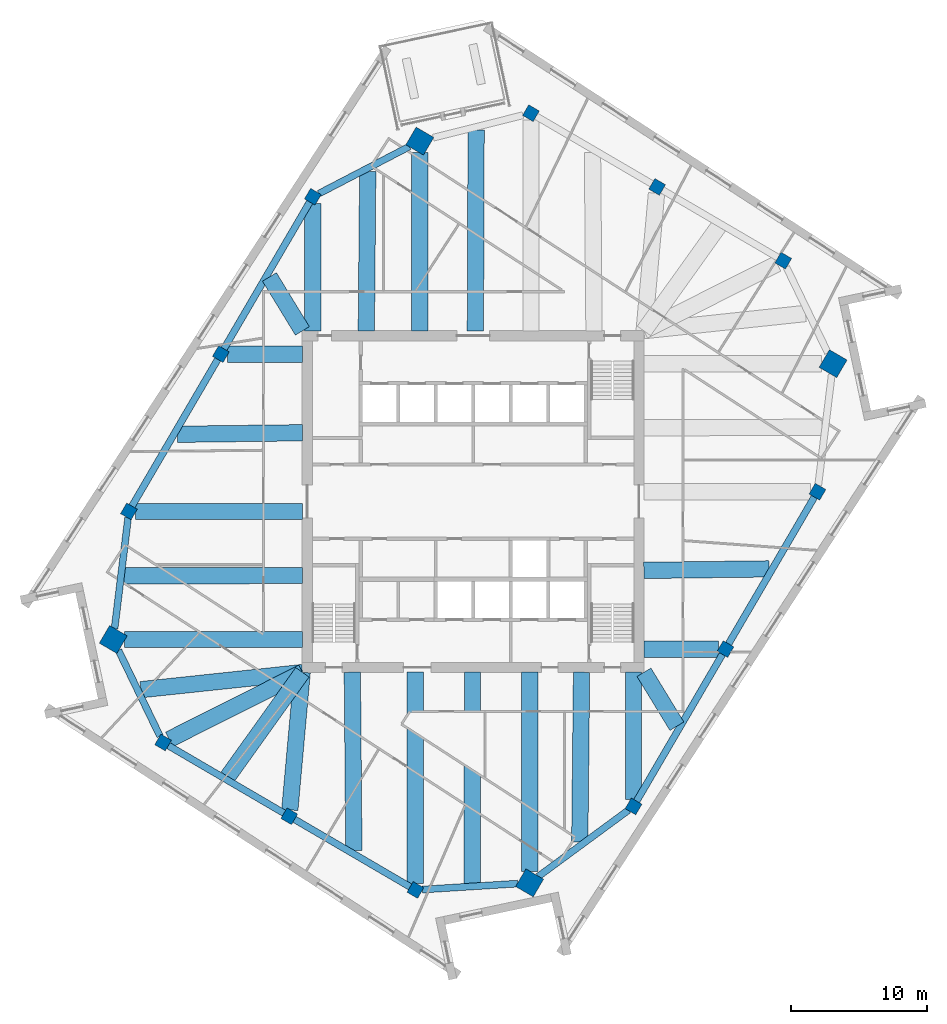
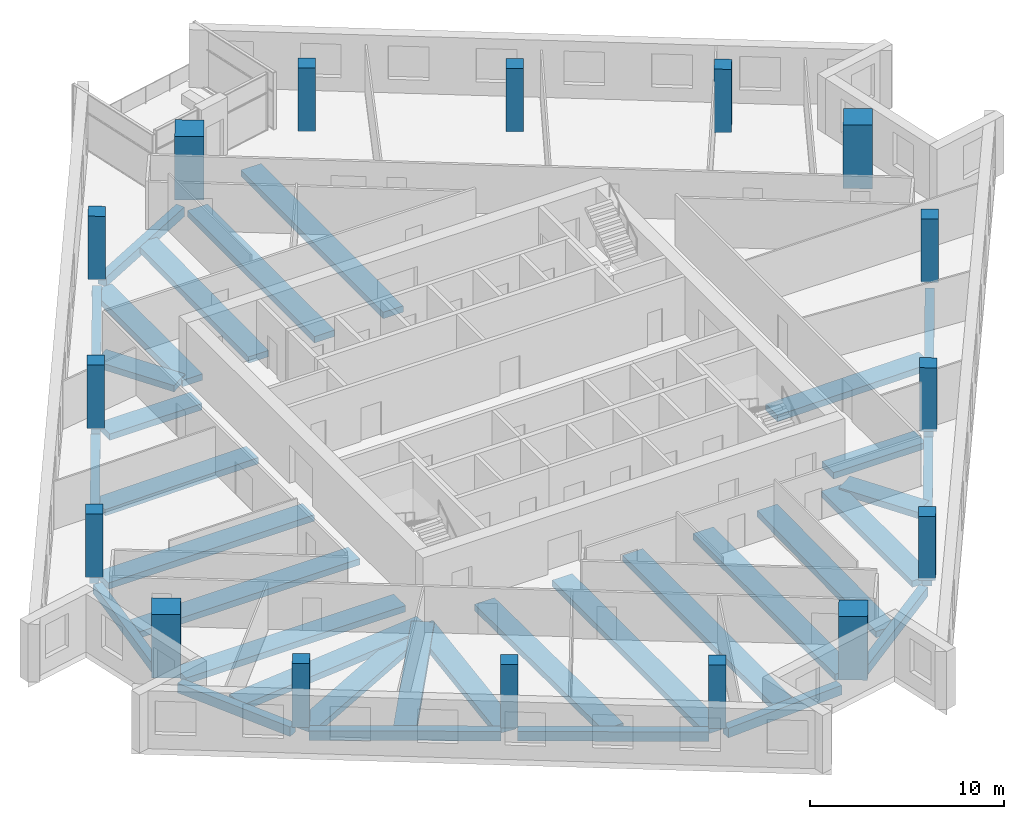
# One storey, part 1 of 12: 34 beams, 16 columns.
"""IFC4 building model written with IfcOpenShell, lengths in metres."""

from ifc_helpers import new_model, si_unit, direction, frame, origin, origin_2d, place, context, subcontext, project, spatial, rectangle, extrude, material, material_profile, profile_set, type_object, element, save


model = new_model("IFC4")

# Units and contexts
model_context = context("Model", 3, precision=1e-05, world=origin(), true_north=direction((0.0, 1.0)))
body_context = subcontext(model_context, "Body", "Model", "MODEL_VIEW")
ifc_project = project(units=[si_unit("LENGTHUNIT", "METRE"), si_unit("AREAUNIT", "SQUARE_METRE"), si_unit("VOLUMEUNIT", "CUBIC_METRE"), si_unit("PLANEANGLEUNIT", "RADIAN"), si_unit("MASSUNIT", "GRAM", prefix="KILO")], contexts=[model_context])

# Site, building, storey
site_placement = place(None, origin())
site = spatial("IfcSite", under=ifc_project, at=site_placement, CompositionType="ELEMENT")
building_placement = place(site_placement, origin())
building = spatial("IfcBuilding", under=site, at=building_placement, Name="Dilmun Exchange Tower", CompositionType="ELEMENT")
storey_placement = place(building_placement, frame((0.0, 0.0, 258.89990234375)))
storey = spatial("IfcBuildingStorey", under=building, at=storey_placement, Name="L61", CompositionType="ELEMENT", Elevation=258.89990234375)

# Columns
ifc_material_1 = material(Name="Concrete C50/60", Category="concrete")
ifc_material_profile_1 = material_profile(ifc_material_1, rectangle(XDim=1.5, YDim=1.5, at=origin_2d()), Name="1500 x 1500")
ifc_profile_set_1 = profile_set([ifc_material_profile_1], Name="Concrete C50/60")
column_type_1 = type_object("IfcColumnType", Name="RC mega column 1500 x 1500 C50/60", PredefinedType="COLUMN", material=ifc_profile_set_1)
for number, where, z_axis, x_axis, name in (
    (1, (-3.9150390625, 26.45703125, 0.0), (0.0, 0.0, 1.0), (0.504643651291, 0.863327739165, 0.0), "Mega column M1"),
    (2, (-26.4150390625, -10.1220703125, 0.0), (0.0, 0.0, 1.0), (0.504643651291, 0.863327739165, 0.0), "Mega column M2"),
    (3, (4.14111328125, -27.98291015625, 0.0), (0.0, 0.0, 1.0), (0.504643651291, 0.863327739165, 0.0), "Mega column M3"),
    (4, (26.4150390625, 10.1220703125, 0.0), (0.0, 0.0, 1.0), (0.504643651291, 0.863327739165, 0.0), "Mega column M4"),
):
    element("IfcColumn", number, at=place(storey_placement, frame(where, z_axis=z_axis, x_axis=x_axis)), inside=storey, type_object=column_type_1, Name=name, PredefinedType="COLUMN", context=body_context, shape_type="SweptSolid", body=[
        extrude(rectangle(XDim=1.5, YDim=1.5, at=origin_2d()), origin(), (0.0, 0.0, 1.0), 4.0),
    ])
ifc_material_profile_2 = material_profile(ifc_material_1, rectangle(XDim=0.89990234375, YDim=0.89990234375, at=origin_2d()), Name="900 x 900")
ifc_profile_set_2 = profile_set([ifc_material_profile_2], Name="Concrete C50/60")
column_type_2 = type_object("IfcColumnType", Name="RC ring column 900 x 900 C50/60", PredefinedType="COLUMN", material=ifc_profile_set_2)
for number, where, z_axis, x_axis, name in (
    (5, (-11.76904296875, 22.3720703125, 0.0), (0.0, 0.0, 1.0), (0.504643651291, 0.863327739165, 0.0), "Ring column R01"),
    (6, (-18.51806640625, 10.824951171875, 0.0), (0.0, 0.0, 1.0), (0.504643651291, 0.863327739165, 0.0), "Ring column R02"),
    (7, (-25.26806640625, -0.721923828125, 0.0), (0.0, 0.0, 1.0), (0.504643651291, 0.863327739165, 0.0), "Ring column R03"),
    (8, (-22.758056640625, -17.681884765625, 0.0), (0.0, 0.0, 1.0), (0.504643651291, 0.863327739165, 0.0), "Ring column R04"),
    (9, (-13.4990234375, -23.093994140625, 0.0), (0.0, 0.0, 1.0), (0.504643651291, 0.863327739165, 0.0), "Ring column R05"),
    (10, (-4.239990234375, -28.506103515625, 0.0), (0.0, 0.0, 1.0), (0.504643651291, 0.863327739165, 0.0), "Ring column R06"),
    (11, (11.76904296875, -22.3720703125, 0.0), (0.0, 0.0, 1.0), (0.504643651291, 0.863327739165, 0.0), "Ring column R07"),
    (12, (18.51806640625, -10.824951171875, 0.0), (0.0, 0.0, 1.0), (0.504643651291, 0.863327739165, 0.0), "Ring column R08"),
    (13, (25.26806640625, 0.721923828125, 0.0), (0.0, 0.0, 1.0), (0.504643651291, 0.863327739165, 0.0), "Ring column R09"),
    (14, (22.758056640625, 17.681884765625, 0.0), (0.0, 0.0, 1.0), (0.504643651291, 0.863327739165, 0.0), "Ring column R10"),
    (15, (13.4990234375, 23.093994140625, 0.0), (0.0, 0.0, 1.0), (0.504643651291, 0.863327739165, 0.0), "Ring column R11"),
    (16, (4.239990234375, 28.506103515625, 0.0), (0.0, 0.0, 1.0), (0.504643651291, 0.863327739165, 0.0), "Ring column R12"),
):
    element("IfcColumn", number, at=place(storey_placement, frame(where, z_axis=z_axis, x_axis=x_axis)), inside=storey, type_object=column_type_2, Name=name, PredefinedType="COLUMN", context=body_context, shape_type="SweptSolid", body=[
        extrude(rectangle(XDim=0.89990234375, YDim=0.89990234375, at=origin_2d()), origin(), (0.0, 0.0, 1.0), 4.0),
    ])

# Beams
ifc_material_2 = material(Name="Concrete C40/50", Category="concrete")
ifc_material_profile_3 = material_profile(ifc_material_2, rectangle(XDim=1.199951171875, YDim=0.39990234375, at=origin_2d()), Name="1200 x 400")
ifc_profile_set_3 = profile_set([ifc_material_profile_3], Name="Concrete C40/50")
beam_type_1 = type_object("IfcBeamType", Name="RC band beam 1200 x 400 C40/50", PredefinedType="BEAM", material=ifc_profile_set_3)
beam_1_placement = place(storey_placement, frame((-3.9150390625, 25.615234375, -0.659912109375), z_axis=(0.0, -1.0, 0.0), x_axis=(1.0, 0.0, 0.0)))
element("IfcBeam", 17, at=beam_1_placement, inside=storey, type_object=beam_type_1, Name="Band beam 1", PredefinedType="BEAM", context=body_context, shape_type="SweptSolid", body=[
    extrude(rectangle(XDim=1.199951171875, YDim=0.39990234375, at=origin_2d()), origin(), (0.0, 0.0, 1.0), 13.09228515625),
])
beam_2_placement = place(storey_placement, frame((-11.76904296875, 21.877685546875, -0.659912109375), z_axis=(0.0, -1.0, 0.0), x_axis=(1.0, 0.0, 0.0)))
element("IfcBeam", 18, at=beam_2_placement, inside=storey, type_object=beam_type_1, Name="Band beam 2", PredefinedType="BEAM", context=body_context, shape_type="SweptSolid", body=[
    extrude(rectangle(XDim=1.199951171875, YDim=0.39990234375, at=origin_2d()), origin(), (0.0, 0.0, 1.0), 9.354736328125),
])
beam_3_placement = place(storey_placement, frame((-18.023681640625, 10.824951171875, -0.659912109375), z_axis=(1.0, 0.0, 0.0), x_axis=(0.0, 1.0, 0.0)))
element("IfcBeam", 19, at=beam_3_placement, inside=storey, type_object=beam_type_1, Name="Band beam 3", PredefinedType="BEAM", context=body_context, shape_type="SweptSolid", body=[
    extrude(rectangle(XDim=1.199951171875, YDim=0.39990234375, at=origin_2d()), origin(), (0.0, 0.0, 1.0), 5.500732421875),
])
beam_4_placement = place(storey_placement, frame((-24.773681640625, -0.721923828125, -0.659912109375), z_axis=(1.0, 0.0, 0.0), x_axis=(0.0, 1.0, 0.0)))
element("IfcBeam", 20, at=beam_4_placement, inside=storey, type_object=beam_type_1, Name="Band beam 4", PredefinedType="BEAM", context=body_context, shape_type="SweptSolid", body=[
    extrude(rectangle(XDim=1.199951171875, YDim=0.39990234375, at=origin_2d()), origin(), (0.0, 0.0, 1.0), 12.250732421875),
])
beam_5_placement = place(storey_placement, frame((-25.5732421875, -10.1220703125, -0.659912109375), z_axis=(1.0, 0.0, 0.0), x_axis=(0.0, 1.0, 0.0)))
element("IfcBeam", 21, at=beam_5_placement, inside=storey, type_object=beam_type_1, Name="Band beam 5", PredefinedType="BEAM", context=body_context, shape_type="SweptSolid", body=[
    extrude(rectangle(XDim=1.199951171875, YDim=0.39990234375, at=origin_2d()), origin(), (0.0, 0.0, 1.0), 13.05029296875),
])
beam_6_placement = place(storey_placement, frame((-22.302734375, -17.453125, -0.659912109375), z_axis=(0.893443377394, 0.449175835716, 0.0), x_axis=(-0.449175835716, 0.893443377394, 0.0)))
element("IfcBeam", 22, at=beam_6_placement, inside=storey, type_object=beam_type_1, Name="Band beam 6", PredefinedType="BEAM", context=body_context, shape_type="SweptSolid", body=[
    extrude(rectangle(XDim=1.199951171875, YDim=0.39990234375, at=origin_2d()), origin(), (0.0, 0.0, 1.0), 10.94287109375),
])
beam_7_placement = place(storey_placement, frame((-13.456787109375, -22.625732421875, -0.659912109375), z_axis=(0.089632924375, 0.995974868593, 0.0), x_axis=(-0.995974868593, 0.089632924375, 0.0)))
element("IfcBeam", 23, at=beam_7_placement, inside=storey, type_object=beam_type_1, Name="Band beam 7", PredefinedType="BEAM", context=body_context, shape_type="SweptSolid", body=[
    extrude(rectangle(XDim=1.199951171875, YDim=0.39990234375, at=origin_2d()), origin(), (0.0, 0.0, 1.0), 10.143310546875),
])
beam_8_placement = place(storey_placement, frame((-4.239990234375, -28.01171875, -0.659912109375), z_axis=(0.0, 1.0, 0.0), x_axis=(-1.0, 0.0, 0.0)))
element("IfcBeam", 24, at=beam_8_placement, inside=storey, type_object=beam_type_1, Name="Band beam 8", PredefinedType="BEAM", context=body_context, shape_type="SweptSolid", body=[
    extrude(rectangle(XDim=1.199951171875, YDim=0.39990234375, at=origin_2d()), origin(), (0.0, 0.0, 1.0), 15.48876953125),
])
beam_9_placement = place(storey_placement, frame((4.14111328125, -27.141357421875, -0.659912109375), z_axis=(0.0, 1.0, 0.0), x_axis=(-1.0, 0.0, 0.0)))
element("IfcBeam", 25, at=beam_9_placement, inside=storey, type_object=beam_type_1, Name="Band beam 9", PredefinedType="BEAM", context=body_context, shape_type="SweptSolid", body=[
    extrude(rectangle(XDim=1.199951171875, YDim=0.39990234375, at=origin_2d()), origin(), (0.0, 0.0, 1.0), 14.618408203125),
])
beam_10_placement = place(storey_placement, frame((11.76904296875, -21.877685546875, -0.659912109375), z_axis=(0.0, 1.0, 0.0), x_axis=(-1.0, 0.0, 0.0)))
element("IfcBeam", 26, at=beam_10_placement, inside=storey, type_object=beam_type_1, Name="Band beam 10", PredefinedType="BEAM", context=body_context, shape_type="SweptSolid", body=[
    extrude(rectangle(XDim=1.199951171875, YDim=0.39990234375, at=origin_2d()), origin(), (0.0, 0.0, 1.0), 9.354736328125),
])
beam_11_placement = place(storey_placement, frame((18.023681640625, -10.824951171875, -0.659912109375), z_axis=(-1.0, 0.0, 0.0), x_axis=(0.0, -1.0, 0.0)))
element("IfcBeam", 27, at=beam_11_placement, inside=storey, type_object=beam_type_1, Name="Band beam 11", PredefinedType="BEAM", context=body_context, shape_type="SweptSolid", body=[
    extrude(rectangle(XDim=1.199951171875, YDim=0.39990234375, at=origin_2d()), origin(), (0.0, 0.0, 1.0), 5.500732421875),
])
beam_12_placement = place(storey_placement, frame((-7.739013671875, 24.216796875, -0.559814453125), z_axis=(-0.008810046818, -0.999961190784, 0.0), x_axis=(0.999961190784, -0.008810046818, 0.0)))
element("IfcBeam", 28, at=beam_12_placement, inside=storey, type_object=beam_type_1, Name="Band beam 17", PredefinedType="BEAM", context=body_context, shape_type="SweptSolid", body=[
    extrude(rectangle(XDim=1.199951171875, YDim=0.39990234375, at=origin_2d()), origin(), (0.0, 0.0, 1.0), 11.6943359375),
])
beam_13_placement = place(storey_placement, frame((-14.950927734375, 16.486083984375, -0.559814453125), z_axis=(0.520868546878, -0.853636899901, 0.0), x_axis=(0.853636899901, 0.520868546878, 0.0)))
element("IfcBeam", 29, at=beam_13_placement, inside=storey, type_object=beam_type_1, Name="Band beam 18", PredefinedType="BEAM", context=body_context, shape_type="SweptSolid", body=[
    extrude(rectangle(XDim=1.199951171875, YDim=0.39990234375, at=origin_2d()), origin(), (0.0, 0.0, 1.0), 4.637451171875),
])
beam_14_placement = place(storey_placement, frame((-21.700439453125, 4.93896484375, -0.559814453125), z_axis=(0.999924810861, 0.01226265164, 0.0), x_axis=(-0.01226265164, 0.999924810861, 0.0)))
element("IfcBeam", 30, at=beam_14_placement, inside=storey, type_object=beam_type_1, Name="Band beam 19", PredefinedType="BEAM", context=body_context, shape_type="SweptSolid", body=[
    extrude(rectangle(XDim=1.199951171875, YDim=0.39990234375, at=origin_2d()), origin(), (0.0, 0.0, 1.0), 9.17822265625),
])
beam_15_placement = place(storey_placement, frame((-25.6201171875, -5.448974609375, -0.559814453125), z_axis=(0.999997897774, 0.002050474756, 0.0), x_axis=(-0.002050474756, 0.999997897774, 0.0)))
element("IfcBeam", 31, at=beam_15_placement, inside=storey, type_object=beam_type_1, Name="Band beam 20", PredefinedType="BEAM", context=body_context, shape_type="SweptSolid", body=[
    extrude(rectangle(XDim=1.199951171875, YDim=0.39990234375, at=origin_2d()), origin(), (0.0, 0.0, 1.0), 13.09716796875),
])
beam_16_placement = place(storey_placement, frame((-24.3857421875, -13.804931640625, -0.559814453125), z_axis=(0.994425543871, 0.105441157505, 0.0), x_axis=(-0.105441157505, 0.994425543871, 0.0)))
element("IfcBeam", 32, at=beam_16_placement, inside=storey, type_object=beam_type_1, Name="Band beam 21", PredefinedType="BEAM", context=body_context, shape_type="SweptSolid", body=[
    extrude(rectangle(XDim=1.199951171875, YDim=0.39990234375, at=origin_2d()), origin(), (0.0, 0.0, 1.0), 11.928955078125),
])
beam_17_placement = place(storey_placement, frame((-18.01611328125, -20.195556640625, -0.559814453125), z_axis=(0.581600762294, 0.81347437163, 0.0), x_axis=(-0.81347437163, 0.581600762294, 0.0)))
element("IfcBeam", 33, at=beam_17_placement, inside=storey, type_object=beam_type_1, Name="Band beam 22", PredefinedType="BEAM", context=body_context, shape_type="SweptSolid", body=[
    extrude(rectangle(XDim=1.199951171875, YDim=0.39990234375, at=origin_2d()), origin(), (0.0, 0.0, 1.0), 9.425537109375),
])
beam_18_placement = place(storey_placement, frame((-8.757080078125, -25.607421875, -0.559814453125), z_axis=(-0.008582734208, 0.999963167658, 0.0), x_axis=(-0.999963167658, -0.008582734208, 0.0)))
element("IfcBeam", 34, at=beam_18_placement, inside=storey, type_object=beam_type_1, Name="Band beam 23", PredefinedType="BEAM", context=body_context, shape_type="SweptSolid", body=[
    extrude(rectangle(XDim=1.199951171875, YDim=0.39990234375, at=origin_2d()), origin(), (0.0, 0.0, 1.0), 13.0849609375),
])
beam_19_placement = place(storey_placement, frame((-0.0634765625, -28.02197265625, -0.559814453125), z_axis=(0.000897863667, 0.99999959692, 0.0), x_axis=(-0.99999959692, 0.000897863667, 0.0)))
element("IfcBeam", 35, at=beam_19_placement, inside=storey, type_object=beam_type_1, Name="Band beam 24", PredefinedType="BEAM", context=body_context, shape_type="SweptSolid", body=[
    extrude(rectangle(XDim=1.199951171875, YDim=0.39990234375, at=origin_2d()), origin(), (0.0, 0.0, 1.0), 15.4990234375),
])
beam_20_placement = place(storey_placement, frame((7.822998046875, -24.997802734375, -0.559814453125), z_axis=(0.010587112348, 0.999943954956, 0.0), x_axis=(-0.999943954956, 0.010587112348, 0.0)))
element("IfcBeam", 36, at=beam_20_placement, inside=storey, type_object=beam_type_1, Name="Band beam 25", PredefinedType="BEAM", context=body_context, shape_type="SweptSolid", body=[
    extrude(rectangle(XDim=1.199951171875, YDim=0.39990234375, at=origin_2d()), origin(), (0.0, 0.0, 1.0), 12.4755859375),
])
beam_21_placement = place(storey_placement, frame((14.950927734375, -16.486083984375, -0.559814453125), z_axis=(-0.520868546878, 0.853636899901, 0.0), x_axis=(-0.853636899901, -0.520868546878, 0.0)))
element("IfcBeam", 37, at=beam_21_placement, inside=storey, type_object=beam_type_1, Name="Band beam 26", PredefinedType="BEAM", context=body_context, shape_type="SweptSolid", body=[
    extrude(rectangle(XDim=1.199951171875, YDim=0.39990234375, at=origin_2d()), origin(), (0.0, 0.0, 1.0), 4.637451171875),
])
beam_22_placement = place(storey_placement, frame((21.700439453125, -4.93896484375, -0.559814453125), z_axis=(-0.999924810861, -0.01226265164, 0.0), x_axis=(0.01226265164, -0.999924810861, 0.0)))
element("IfcBeam", 38, at=beam_22_placement, inside=storey, type_object=beam_type_1, Name="Band beam 27", PredefinedType="BEAM", context=body_context, shape_type="SweptSolid", body=[
    extrude(rectangle(XDim=1.199951171875, YDim=0.39990234375, at=origin_2d()), origin(), (0.0, 0.0, 1.0), 9.17822265625),
])
beam_23_placement = place(storey_placement, frame((0.216796875, 27.26513671875, -0.559814453125), z_axis=(-0.003676445742, -0.999993241851, 0.0), x_axis=(0.999993241851, -0.003676445742, 0.0)))
element("IfcBeam", 39, at=beam_23_placement, inside=storey, type_object=beam_type_1, Name="Band beam 32", PredefinedType="BEAM", context=body_context, shape_type="SweptSolid", body=[
    extrude(rectangle(XDim=1.199951171875, YDim=0.39990234375, at=origin_2d()), origin(), (0.0, 0.0, 1.0), 14.7421875),
])
ifc_material_profile_4 = material_profile(ifc_material_2, rectangle(XDim=0.5, YDim=0.60009765625, at=origin_2d()), Name="500 x 600")
ifc_profile_set_4 = profile_set([ifc_material_profile_4], Name="Concrete C40/50")
beam_type_2 = type_object("IfcBeamType", Name="RC ring beam 500 x 600 C40/50", PredefinedType="SPANDREL", material=ifc_profile_set_4)
beam_24_placement = place(storey_placement, frame((-4.677490234375, 26.060302734375, -0.659912109375), z_axis=(-0.887179966585, -0.461423565599, 0.0), x_axis=(0.461423565599, -0.887179966585, 0.0)))
element("IfcBeam", 40, at=beam_24_placement, inside=storey, type_object=beam_type_2, Name="Ring beam 1", PredefinedType="SPANDREL", context=body_context, shape_type="SweptSolid", body=[
    extrude(rectangle(XDim=0.5, YDim=0.60009765625, at=origin_2d()), origin(), (0.0, 0.0, 1.0), 7.48828125),
])
beam_25_placement = place(storey_placement, frame((-11.982421875, 22.0068359375, -0.659912109375), z_axis=(-0.504603860956, -0.863350996703, 0.0), x_axis=(0.863350996703, -0.504603860956, 0.0)))
element("IfcBeam", 41, at=beam_25_placement, inside=storey, type_object=beam_type_2, Name="Ring beam 2", PredefinedType="SPANDREL", context=body_context, shape_type="SweptSolid", body=[
    extrude(rectangle(XDim=0.5, YDim=0.60009765625, at=origin_2d()), origin(), (0.0, 0.0, 1.0), 12.528564453125),
])
beam_26_placement = place(storey_placement, frame((-18.7314453125, 10.459716796875, -0.659912109375), z_axis=(-0.504670446374, -0.863312075994, 0.0), x_axis=(0.863312075994, -0.504670446374, 0.0)))
element("IfcBeam", 42, at=beam_26_placement, inside=storey, type_object=beam_type_2, Name="Ring beam 3", PredefinedType="SPANDREL", context=body_context, shape_type="SweptSolid", body=[
    extrude(rectangle(XDim=0.5, YDim=0.60009765625, at=origin_2d()), origin(), (0.0, 0.0, 1.0), 12.529052734375),
])
beam_27_placement = place(storey_placement, frame((-25.32421875, -1.181640625, -0.659912109375), z_axis=(-0.121108645076, -0.992639257781, 0.0), x_axis=(0.992639257781, -0.121108645076, 0.0)))
element("IfcBeam", 43, at=beam_27_placement, inside=storey, type_object=beam_type_2, Name="Ring beam 4", PredefinedType="SPANDREL", context=body_context, shape_type="SweptSolid", body=[
    extrude(rectangle(XDim=0.5, YDim=0.60009765625, at=origin_2d()), origin(), (0.0, 0.0, 1.0), 8.216796875),
])
beam_28_placement = place(storey_placement, frame((-26.033447265625, -10.910888671875, -0.659912109375), z_axis=(0.435439794363, -0.900217854458, 0.0), x_axis=(0.900217854458, 0.435439794363, 0.0)))
element("IfcBeam", 44, at=beam_28_placement, inside=storey, type_object=beam_type_2, Name="Ring beam 5", PredefinedType="SPANDREL", context=body_context, shape_type="SweptSolid", body=[
    extrude(rectangle(XDim=0.5, YDim=0.60009765625, at=origin_2d()), origin(), (0.0, 0.0, 1.0), 7.0068359375),
])
beam_29_placement = place(storey_placement, frame((-22.392822265625, -17.8955078125, -0.659912109375), z_axis=(0.863333071594, -0.504634528637, 0.0), x_axis=(0.504634528637, 0.863333071594, 0.0)))
element("IfcBeam", 45, at=beam_29_placement, inside=storey, type_object=beam_type_2, Name="Ring beam 6", PredefinedType="SPANDREL", context=body_context, shape_type="SweptSolid", body=[
    extrude(rectangle(XDim=0.5, YDim=0.60009765625, at=origin_2d()), origin(), (0.0, 0.0, 1.0), 9.878662109375),
])
beam_30_placement = place(storey_placement, frame((-13.1337890625, -23.3076171875, -0.659912109375), z_axis=(0.863343838609, -0.504616107884, 0.0), x_axis=(0.504616107884, 0.863343838609, 0.0)))
element("IfcBeam", 46, at=beam_30_placement, inside=storey, type_object=beam_type_2, Name="Ring beam 7", PredefinedType="SPANDREL", context=body_context, shape_type="SweptSolid", body=[
    extrude(rectangle(XDim=0.5, YDim=0.60009765625, at=origin_2d()), origin(), (0.0, 0.0, 1.0), 9.87841796875),
])
beam_31_placement = place(storey_placement, frame((-3.72607421875, -28.473876953125, -0.659912109375), z_axis=(0.998059216844, 0.062271981443, 0.0), x_axis=(-0.062271981443, 0.998059216844, 0.0)))
element("IfcBeam", 47, at=beam_31_placement, inside=storey, type_object=beam_type_2, Name="Ring beam 8", PredefinedType="SPANDREL", context=body_context, shape_type="SweptSolid", body=[
    extrude(rectangle(XDim=0.5, YDim=0.60009765625, at=origin_2d()), origin(), (0.0, 0.0, 1.0), 7.006103515625),
])
beam_32_placement = place(storey_placement, frame((4.77734375, -27.514892578125, -0.659912109375), z_axis=(0.805549228719, 0.592528851711, 0.0), x_axis=(-0.592528851711, 0.805549228719, 0.0)))
element("IfcBeam", 48, at=beam_32_placement, inside=storey, type_object=beam_type_2, Name="Ring beam 9", PredefinedType="SPANDREL", context=body_context, shape_type="SweptSolid", body=[
    extrude(rectangle(XDim=0.5, YDim=0.60009765625, at=origin_2d()), origin(), (0.0, 0.0, 1.0), 8.21630859375),
])
beam_33_placement = place(storey_placement, frame((11.982421875, -22.0068359375, -0.659912109375), z_axis=(0.504603860956, 0.863350996703, 0.0), x_axis=(-0.863350996703, 0.504603860956, 0.0)))
element("IfcBeam", 49, at=beam_33_placement, inside=storey, type_object=beam_type_2, Name="Ring beam 10", PredefinedType="SPANDREL", context=body_context, shape_type="SweptSolid", body=[
    extrude(rectangle(XDim=0.5, YDim=0.60009765625, at=origin_2d()), origin(), (0.0, 0.0, 1.0), 12.528564453125),
])
beam_34_placement = place(storey_placement, frame((18.7314453125, -10.459716796875, -0.659912109375), z_axis=(0.504670446374, 0.863312075994, 0.0), x_axis=(-0.863312075994, 0.504670446374, 0.0)))
element("IfcBeam", 50, at=beam_34_placement, inside=storey, type_object=beam_type_2, Name="Ring beam 11", PredefinedType="SPANDREL", context=body_context, shape_type="SweptSolid", body=[
    extrude(rectangle(XDim=0.5, YDim=0.60009765625, at=origin_2d()), origin(), (0.0, 0.0, 1.0), 12.529052734375),
])

save(model, "model.ifc")
